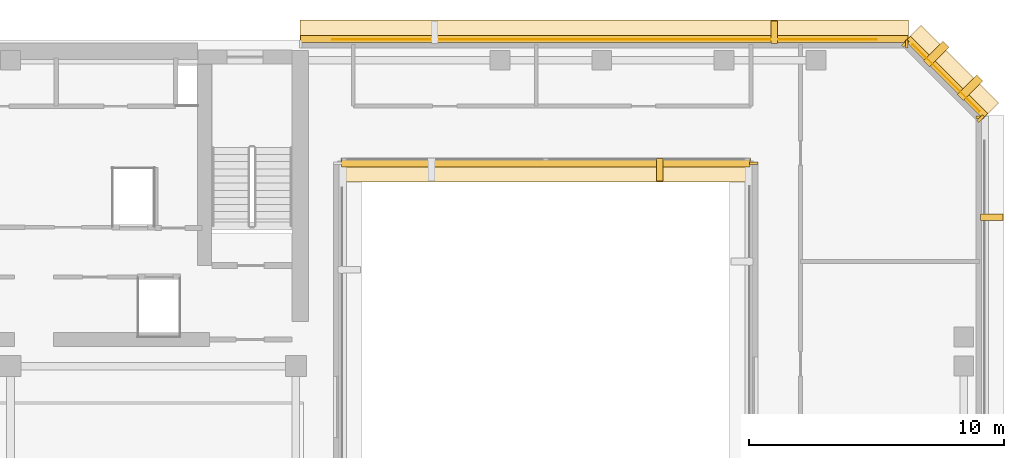
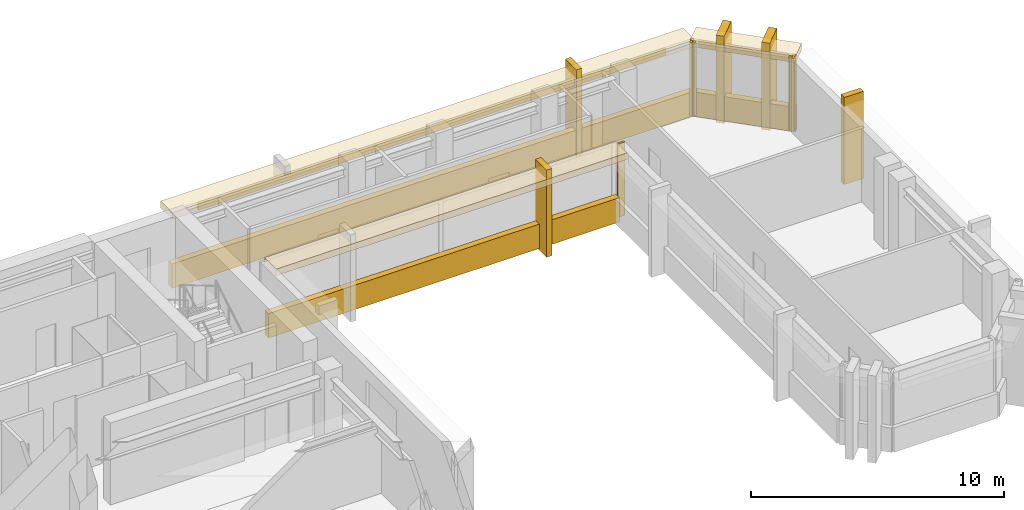
# One storey, part 11 of 11: 18 coverings.
"""IFC4 building model written with IfcOpenShell, lengths in metres."""

import ifcopenshell
import ifcopenshell.guid

model = None  # the IFC model being written
_history = None  # IfcOwnerHistory: only IFC2X3 demands one
_inside = {}  # id of a spatial element -> (the spatial element, [elements in it])
_under = {}  # id of a project, library or spatial element -> (it, [spatial elements below it])
_declared = {}  # id of a project -> (the project, [libraries it declares])
_typed = {}  # id of a type object -> (the type object, [elements of that type])
_made_of = {}  # id of a material, layer set ... -> (it, [elements and type objects made of it])


def new_model(schema):
    """Start an empty IFC model of exactly this schema.

    Asked for "IFC4X3", IfcOpenShell would pick the latest addendum, in which some entities
    have other attributes; the version numbers below select the first issue.
    IFC2X3 requires an IfcOwnerHistory on every rooted entity: one is made here for all.
    """
    global model, _history
    if schema == "IFC4X3":
        model = ifcopenshell.file(schema_version=(4, 3, 0, 0))
    else:
        model = ifcopenshell.file(schema=schema)
    _inside.clear()
    _under.clear()
    _declared.clear()
    _typed.clear()
    _made_of.clear()
    _history = None
    if model.schema == "IFC2X3":
        org = make("IfcOrganization", Name="unknown")
        user = make(
            "IfcPersonAndOrganization",
            ThePerson=make("IfcPerson", FamilyName="unknown"),
            TheOrganization=org,
        )
        app = make(
            "IfcApplication",
            ApplicationDeveloper=org,
            Version="unknown",
            ApplicationFullName="unknown",
            ApplicationIdentifier="unknown",
        )
        _history = make(
            "IfcOwnerHistory",
            OwningUser=user,
            OwningApplication=app,
            ChangeAction="ADDED",
            CreationDate=0,
        )
    return model


def make(cls, **values):
    """One entity of the class cls with the attributes given. An attribute that is None is left unset."""
    return model.create_entity(
        cls, **{name: value for name, value in values.items() if value is not None}
    )


def rooted(cls, **values):
    """An entity with a GlobalId (a new one), such as an element, a storey or a relation."""
    return make(cls, GlobalId=ifcopenshell.guid.new(), OwnerHistory=_history, **values)


def si_unit(unit_type, name, prefix=None):
    """IfcSIUnit, for example si_unit("LENGTHUNIT", "METRE", prefix="MILLI")."""
    return make("IfcSIUnit", UnitType=unit_type, Prefix=prefix, Name=name)


def assignment(units):
    """IfcUnitAssignment: the units of a project."""
    return None if units is None else make("IfcUnitAssignment", Units=units)


def point(xyz):
    """IfcCartesianPoint."""
    return None if xyz is None else make("IfcCartesianPoint", Coordinates=xyz)


def direction(xyz):
    """IfcDirection."""
    return None if xyz is None else make("IfcDirection", DirectionRatios=xyz)


def frame(location, z_axis=None, x_axis=None):
    """IfcAxis2Placement3D, a coordinate frame: its origin and axes. An axis left out is left unset."""
    return make(
        "IfcAxis2Placement3D",
        Location=point(location),
        Axis=direction(z_axis),
        RefDirection=direction(x_axis),
    )


def frame_2d(location, x_axis=None):
    """IfcAxis2Placement2D, a coordinate frame in the plane: its origin and x axis."""
    return make(
        "IfcAxis2Placement2D", Location=point(location), RefDirection=direction(x_axis)
    )


def origin():
    """The frame at (0, 0, 0) with its axes left unset."""
    return frame((0.0, 0.0, 0.0))


def origin_2d():
    """The frame at (0, 0) in the plane with its x axis left unset."""
    return frame_2d((0.0, 0.0))


def place(relative_to, where):
    """IfcLocalPlacement: puts the frame where relative to a parent placement (None: the world)."""
    return make(
        "IfcLocalPlacement", PlacementRelTo=relative_to, RelativePlacement=where
    )


def context(
    kind, dimensions, precision=None, world=None, true_north=None, identifier=None
):
    """IfcGeometricRepresentationContext, for example the 3D "Model" context."""
    return make(
        "IfcGeometricRepresentationContext",
        ContextIdentifier=identifier,
        ContextType=kind,
        CoordinateSpaceDimension=dimensions,
        Precision=precision,
        WorldCoordinateSystem=world,
        TrueNorth=true_north,
    )


def subcontext(parent, identifier, kind, view, scale=None):
    """IfcGeometricRepresentationSubContext, for example "Body" below "Model"."""
    return make(
        "IfcGeometricRepresentationSubContext",
        ContextIdentifier=identifier,
        ContextType=kind,
        ParentContext=parent,
        TargetScale=scale,
        TargetView=view,
    )


def project(units=None, contexts=None):
    """IfcProject with its units and contexts."""
    return rooted(
        "IfcProject",
        Name="project",
        RepresentationContexts=contexts,
        UnitsInContext=assignment(units),
    )


def spatial(cls, under=None, at=None, **own):
    """A site, building, storey or space (cls), placed at a placement, below another one or the project."""
    s = rooted(cls, ObjectPlacement=at, **own)
    if under is not None:
        _under.setdefault(under.id(), (under, []))[1].append(s)
    return s


def profile(cls, at=None, kind="AREA", **sizes):
    """A parametric profile (cls). Its sizes go by their IFC names, for example OverallWidth=200.0."""
    return make(cls, ProfileType=kind, Position=at, **sizes)


def rectangle(**sizes):
    """IfcRectangleProfileDef."""
    return profile("IfcRectangleProfileDef", **sizes)


def extrude(swept, where, along, depth):
    """IfcExtrudedAreaSolid: the profile swept, set in the frame where, extruded along a direction by depth."""
    return make(
        "IfcExtrudedAreaSolid",
        SweptArea=swept,
        Position=where,
        ExtrudedDirection=direction(along),
        Depth=depth,
    )


def shape(context_of_items, identifier, shape_type, items):
    """IfcShapeRepresentation: the items that make up one representation, for example the "Body"."""
    return make(
        "IfcShapeRepresentation",
        ContextOfItems=context_of_items,
        RepresentationIdentifier=identifier,
        RepresentationType=shape_type,
        Items=items,
    )


def material(Name=None, Category=None):
    """IfcMaterial."""
    return make("IfcMaterial", Name=Name, Category=Category)


def layer(
    of_material, thickness, ventilated=None, Name=None, Category=None, Priority=None
):
    """IfcMaterialLayer: one layer of a wall or slab, of a material (None: an air gap)."""
    return make(
        "IfcMaterialLayer",
        Material=of_material,
        LayerThickness=thickness,
        IsVentilated=ventilated,
        Name=Name,
        Category=Category,
        Priority=Priority,
    )


def layer_set(layers, Name=None):
    """IfcMaterialLayerSet."""
    return make("IfcMaterialLayerSet", MaterialLayers=layers, LayerSetName=Name)


def made_of(thing, what):
    """Note that an element or type object is made of a material, layer set ...; save() writes the relation."""
    if what is not None:
        _made_of.setdefault(what.id(), (what, []))[1].append(thing)
    return thing


def type_object(cls, material=None, **own):
    """A type object (cls), such as IfcWallType, which elements share."""
    return made_of(rooted(cls, **own), material)


def element(
    cls,
    number,
    at=None,
    inside=None,
    cuts=None,
    type_object=None,
    material=None,
    context=None,
    identifier="Body",
    shape_type=None,
    held_by="IfcProductDefinitionShape",
    body=None,
    shapes=None,
    **own,
):
    """One element of the class cls, such as IfcWall. Its Tag is "e" and its number.

    at: its placement. inside: the storey or other place that contains it. cuts: it is an
    opening in that element (IfcRelVoidsElement). A single representation is given by context,
    identifier, shape_type and body (its items); several are given by shapes. held_by: the class
    of the entity that holds the representations. save() writes the other relations.
    """
    e = rooted(cls, Tag="e%d" % number, ObjectPlacement=at, **own)
    if body is not None:
        shapes = [shape(context, identifier, shape_type, body)]
    if shapes is not None:
        e.Representation = make(held_by, Representations=shapes)
    if inside is not None:
        _inside.setdefault(inside.id(), (inside, []))[1].append(e)
    if cuts is not None:
        rooted(
            "IfcRelVoidsElement", RelatingBuildingElement=cuts, RelatedOpeningElement=e
        )
    if type_object is not None:
        _typed.setdefault(type_object.id(), (type_object, []))[1].append(e)
    return made_of(e, material)


def aggregate(whole, parts):
    """IfcRelAggregates: a whole, such as a stair, and the parts it consists of."""
    return rooted("IfcRelAggregates", RelatingObject=whole, RelatedObjects=parts)


def save(model, path):
    """Write the relations noted so far, then the file.

    IfcRelAggregates (storeys below a building ...), IfcRelContainedInSpatialStructure (elements
    in a storey), IfcRelDefinesByType, IfcRelAssociatesMaterial and IfcRelDeclares: one each for
    every whole, place, type object, material and project.
    """
    for whole, parts in _under.values():
        aggregate(whole, parts)
    for where, things in _inside.values():
        rooted(
            "IfcRelContainedInSpatialStructure",
            RelatedElements=things,
            RelatingStructure=where,
        )
    for kind, things in _typed.values():
        rooted("IfcRelDefinesByType", RelatedObjects=things, RelatingType=kind)
    for what, things in _made_of.values():
        rooted("IfcRelAssociatesMaterial", RelatedObjects=things, RelatingMaterial=what)
    for by, libraries in _declared.values():
        rooted("IfcRelDeclares", RelatingContext=by, RelatedDefinitions=libraries)
    model.write(path)


model = new_model("IFC4")

# Units and contexts
model_context = context("Model", 3, precision=1e-05, world=origin(), true_north=direction((0.0, 1.0)))
body_context = subcontext(model_context, "Body", "Model", "MODEL_VIEW")
ifc_project = project(units=[si_unit("LENGTHUNIT", "METRE"), si_unit("AREAUNIT", "SQUARE_METRE"), si_unit("VOLUMEUNIT", "CUBIC_METRE"), si_unit("PLANEANGLEUNIT", "RADIAN"), si_unit("MASSUNIT", "GRAM", prefix="KILO")], contexts=[model_context])

# Site, building, storey
site_placement = place(None, origin())
site = spatial("IfcSite", under=ifc_project, at=site_placement, CompositionType="ELEMENT")
building_placement = place(site_placement, origin())
building = spatial("IfcBuilding", under=site, at=building_placement, Name="Kefirva Bronze Tower", CompositionType="ELEMENT")
storey_placement = place(building_placement, frame((0.0, 0.0, 247.5)))
storey = spatial("IfcBuildingStorey", under=building, at=storey_placement, Name="L60", CompositionType="ELEMENT", Elevation=247.5)

# Coverings
ifc_material = material(Name="Bronze anodised aluminium", Category="aluminium")
ifc_layer_1 = layer(ifc_material, 0.02001953125, Name="Bronze anodised aluminium")
ifc_layer_set_1 = layer_set([ifc_layer_1], Name="Bronze anodised aluminium")
covering_type_1 = type_object("IfcCoveringType", Name="Anodised Bronze Spandrel Cladding 20mm", PredefinedType="CLADDING", material=ifc_layer_set_1)
covering_1_placement = place(storey_placement, frame((33.0, 41.159912109375, -0.16015625), z_axis=(0.0, 0.0, 1.0), x_axis=(1.0, 0.0, 0.0)))
element("IfcCovering", 1, at=covering_1_placement, inside=storey, type_object=covering_type_1, Name="L60 Streamline Horizontal Spandrel Band 6", PredefinedType="CLADDING", context=body_context, shape_type="SweptSolid", body=[
    extrude(rectangle(XDim=16.0400390625, YDim=0.280029296875, at=origin_2d()), origin(), (0.0, 0.0, 1.0), 1.179931640625),
])
for number, where, z_axis, x_axis, name in (
    (2, (41.159912109375, 41.1650390625, 0.0), (0.0, 0.0, 1.0), (0.0, -1.0, 0.0), "L60 Facade Joint Closure Panel 5S"),
    (3, (50.0400390625, 42.965087890625, 0.0), (0.0, 0.0, 1.0), (0.0, 1.0, 0.0), "L60 Facade Joint Closure Panel 9E"),
):
    element("IfcCovering", number, at=place(storey_placement, frame(where, z_axis=z_axis, x_axis=x_axis)), inside=storey, type_object=covering_type_1, Name=name, PredefinedType="CLADDING", context=body_context, shape_type="SweptSolid", body=[
        extrude(rectangle(XDim=0.10009765625, YDim=0.320068359375, at=origin_2d()), origin(), (0.0, 0.0, 1.0), 3.5400390625),
    ])
covering_2_placement = place(storey_placement, frame((48.70703125, 44.507080078125, 3.1201171875), z_axis=(0.0, 0.0, 1.0), x_axis=(-0.707106781187, 0.707106781187, 0.0)))
element("IfcCovering", 4, at=covering_2_placement, inside=storey, type_object=covering_type_1, Name="L60 Bronze Spandrel Cladding 10", PredefinedType="CLADDING", context=body_context, shape_type="SweptSolid", body=[
    extrude(rectangle(XDim=3.719482421875, YDim=0.02001953125, at=origin_2d()), origin(), (0.0, 0.0, 1.0), 0.39990234375),
])
for number, where, z_axis, x_axis, name in (
    (5, (50.06201171875, 42.91162109375, 0.0), (0.0, 0.0, 1.0), (-0.707106781187, 0.707106781187, 0.0), "L60 Facade Joint Closure Panel 10S"),
    (6, (47.11181640625, 45.862060546875, 0.0), (0.0, 0.0, 1.0), (-0.707106781187, 0.707106781187, 0.0), "L60 Facade Joint Closure Panel 10E"),
):
    element("IfcCovering", number, at=place(storey_placement, frame(where, z_axis=z_axis, x_axis=x_axis)), inside=storey, type_object=covering_type_1, Name=name, PredefinedType="CLADDING", context=body_context, shape_type="SweptSolid", body=[
        extrude(rectangle(XDim=0.10009765625, YDim=0.320068359375, at=origin_2d()), origin(), (0.0, 0.0, 1.0), 3.5400390625),
    ])
covering_3_placement = place(storey_placement, frame((48.728271484375, 44.5283203125, -0.16015625), z_axis=(0.0, 0.0, 1.0), x_axis=(-0.707106781187, 0.707106781187, 0.0)))
element("IfcCovering", 7, at=covering_3_placement, inside=storey, type_object=covering_type_1, Name="L60 Streamline Horizontal Spandrel Band 12", PredefinedType="CLADDING", context=body_context, shape_type="SweptSolid", body=[
    extrude(rectangle(XDim=4.28271484375, YDim=0.280029296875, at=origin_2d()), origin(), (0.0, 0.0, 1.0), 1.179931640625),
])
covering_4_placement = place(storey_placement, frame((35.302490234375, 46.010009765625, 3.1201171875), z_axis=(0.0, 0.0, 1.0), x_axis=(-1.0, 0.0, 0.0)))
element("IfcCovering", 8, at=covering_4_placement, inside=storey, type_object=covering_type_1, Name="L60 Bronze Spandrel Cladding 11", PredefinedType="CLADDING", context=body_context, shape_type="SweptSolid", body=[
    extrude(rectangle(XDim=21.365966796875, YDim=0.02001953125, at=origin_2d()), origin(), (0.0, 0.0, 1.0), 0.39990234375),
])
covering_5_placement = place(storey_placement, frame((47.1650390625, 45.840087890625, 0.0), z_axis=(0.0, 0.0, 1.0), x_axis=(-1.0, 0.0, 0.0)))
element("IfcCovering", 9, at=covering_5_placement, inside=storey, type_object=covering_type_1, Name="L60 Facade Joint Closure Panel 11S", PredefinedType="CLADDING", context=body_context, shape_type="SweptSolid", body=[
    extrude(rectangle(XDim=0.10009765625, YDim=0.320068359375, at=origin_2d()), origin(), (0.0, 0.0, 1.0), 3.5400390625),
])
covering_6_placement = place(storey_placement, frame((35.302490234375, 46.0400390625, -0.16015625), z_axis=(0.0, 0.0, 1.0), x_axis=(-1.0, 0.0, 0.0)))
element("IfcCovering", 10, at=covering_6_placement, inside=storey, type_object=covering_type_1, Name="L60 Streamline Horizontal Spandrel Band 13", PredefinedType="CLADDING", context=body_context, shape_type="SweptSolid", body=[
    extrude(rectangle(XDim=23.8349609375, YDim=0.280029296875, at=origin_2d()), origin(), (0.0, 0.0, 1.0), 1.179931640625),
])
ifc_layer_2 = layer(ifc_material, 0.179931640625, Name="Bronze anodised aluminium")
ifc_layer_set_2 = layer_set([ifc_layer_2], Name="Bronze anodised aluminium")
covering_type_2 = type_object("IfcCoveringType", Name="Streamline Bronze Sunshade Eyebrow Cladding 180mm", PredefinedType="CLADDING", material=ifc_layer_set_2)
covering_7_placement = place(storey_placement, frame((33.0, 40.889892578125, 3.2197265625), z_axis=(0.0, 0.0, 1.0), x_axis=(1.0, 0.0, 0.0)))
element("IfcCovering", 11, at=covering_7_placement, inside=storey, type_object=covering_type_2, Name="L60 Streamline Bronze Sunshade Eyebrow 6", PredefinedType="CLADDING", context=body_context, shape_type="SweptSolid", body=[
    extrude(rectangle(XDim=16.080078125, YDim=0.93994140625, at=origin_2d()), origin(), (0.0, 0.0, 1.0), 0.320068359375),
])
covering_8_placement = place(storey_placement, frame((48.919189453125, 44.71923828125, 3.2197265625), z_axis=(0.0, 0.0, 1.0), x_axis=(-0.707106781187, 0.707106781187, 0.0)))
element("IfcCovering", 12, at=covering_8_placement, inside=storey, type_object=covering_type_2, Name="L60 Streamline Bronze Sunshade Eyebrow 12", PredefinedType="CLADDING", context=body_context, shape_type="SweptSolid", body=[
    extrude(rectangle(XDim=4.322509765625, YDim=0.93994140625, at=origin_2d()), origin(), (0.0, 0.0, 1.0), 0.320068359375),
])
covering_9_placement = place(storey_placement, frame((35.302490234375, 46.31005859375, 3.2197265625), z_axis=(0.0, 0.0, 1.0), x_axis=(-1.0, 0.0, 0.0)))
element("IfcCovering", 13, at=covering_9_placement, inside=storey, type_object=covering_type_2, Name="L60 Streamline Bronze Sunshade Eyebrow 13", PredefinedType="CLADDING", context=body_context, shape_type="SweptSolid", body=[
    extrude(rectangle(XDim=23.875, YDim=0.93994140625, at=origin_2d()), origin(), (0.0, 0.0, 1.0), 0.320068359375),
])
ifc_layer_3 = layer(ifc_material, 0.260009765625, Name="Bronze anodised aluminium")
ifc_layer_set_3 = layer_set([ifc_layer_3], Name="Bronze anodised aluminium")
covering_type_3 = type_object("IfcCoveringType", Name="Unbroken Bronze Buttress Fin Cladding 260mm", PredefinedType="CLADDING", material=ifc_layer_set_3)
for number, where, z_axis, x_axis, name in (
    (14, (37.47998046875, 40.89990234375, -0.25), (0.0, 0.0, 1.0), (1.0, 0.0, 0.0), "L60 Unbroken Vertical Bronze Rib Fin 12"),
    (15, (50.5, 39.0400390625, -0.25), (0.0, 0.0, 1.0), (0.0, 1.0, 0.0), "L60 Unbroken Vertical Bronze Rib Fin 20"),
):
    element("IfcCovering", number, at=place(storey_placement, frame(where, z_axis=z_axis, x_axis=x_axis)), inside=storey, type_object=covering_type_3, Name=name, PredefinedType="CLADDING", context=body_context, shape_type="SweptSolid", body=[
        extrude(rectangle(XDim=0.260009765625, YDim=0.8798828125, at=origin_2d()), origin(), (0.0, 0.0, 1.0), 4.2099609375),
    ])
for number, where, z_axis, x_axis, name in (
    (16, (49.642822265625, 44.122802734375, -0.25), (0.0, 0.0, 1.0), (-0.707106781187, 0.707106781187, 0.0), "L60 Chamfered Corner Buttress Fin Cladding 21"),
    (17, (48.32275390625, 45.44287109375, -0.25), (0.0, 0.0, 1.0), (-0.707106781187, 0.707106781187, 0.0), "L60 Chamfered Corner Buttress Fin Cladding 22"),
):
    element("IfcCovering", number, at=place(storey_placement, frame(where, z_axis=z_axis, x_axis=x_axis)), inside=storey, type_object=covering_type_3, Name=name, PredefinedType="CLADDING", context=body_context, shape_type="SweptSolid", body=[
        extrude(rectangle(XDim=0.340087890625, YDim=1.080078125, at=origin_2d()), origin(), (0.0, 0.0, 1.0), 4.2099609375),
    ])
covering_10_placement = place(storey_placement, frame((41.965087890625, 46.300048828125, -0.25), z_axis=(0.0, 0.0, 1.0), x_axis=(-1.0, 0.0, 0.0)))
element("IfcCovering", 18, at=covering_10_placement, inside=storey, type_object=covering_type_3, Name="L60 Unbroken Vertical Bronze Rib Fin 23", PredefinedType="CLADDING", context=body_context, shape_type="SweptSolid", body=[
    extrude(rectangle(XDim=0.260009765625, YDim=0.8798828125, at=origin_2d()), origin(), (0.0, 0.0, 1.0), 4.2099609375),
])

save(model, "model.ifc")
